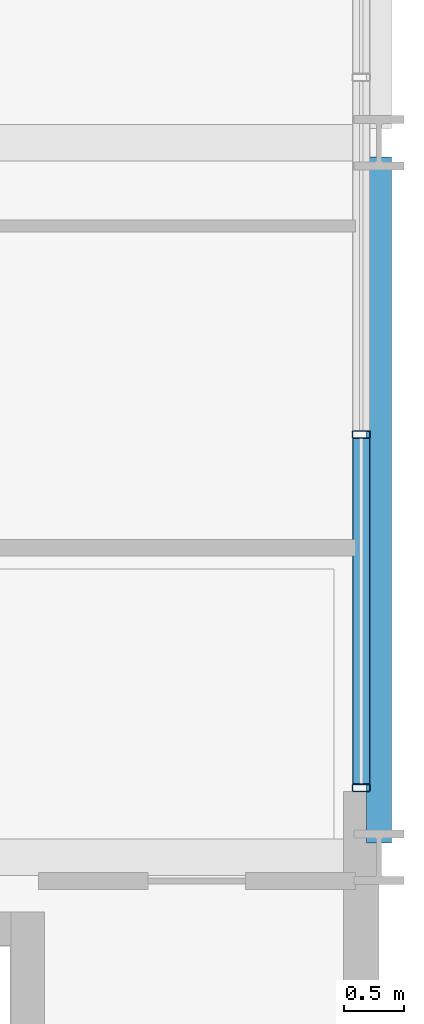
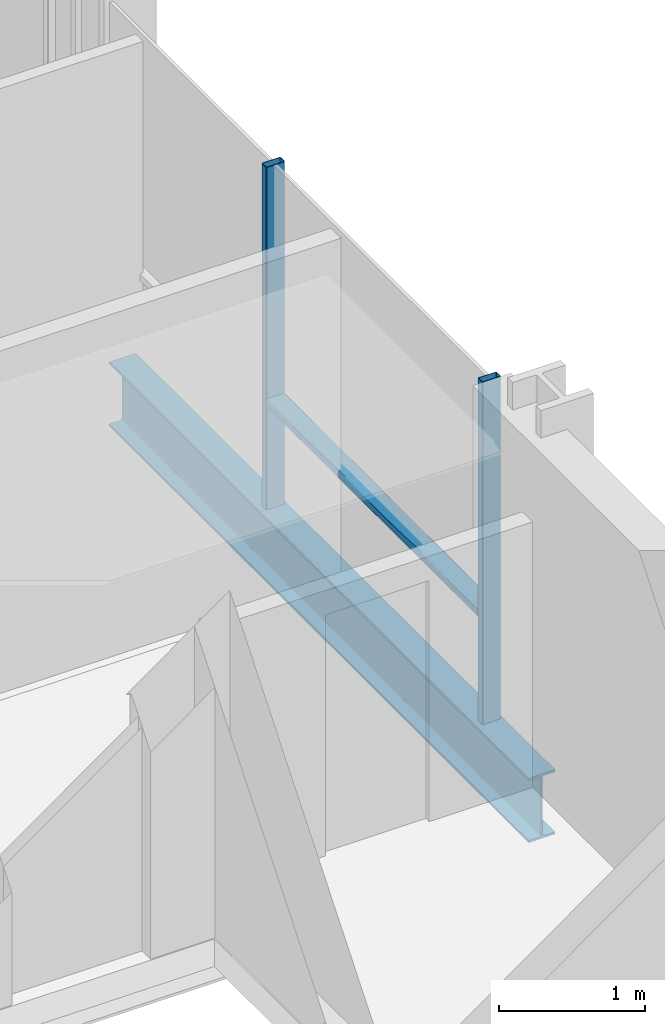
# One storey, part 15 of 41: 3 members, 1 beam, 1 element without a shape of its own.
"""IFC4 building model written with IfcOpenShell, lengths in metres."""

from ifc_helpers import new_model, si_unit, direction, frame, origin, origin_2d, place, context, subcontext, project, spatial, hollow_rectangle, i_section, extrude, material, layer, layer_set, material_profile, profile_set, type_object, element, aggregate, save


model = new_model("IFC4")

# Units and contexts
model_context = context("Model", 3, precision=1e-05, world=origin(), true_north=direction((0.0, 1.0)))
body_context = subcontext(model_context, "Body", "Model", "MODEL_VIEW")
ifc_project = project(units=[si_unit("LENGTHUNIT", "METRE"), si_unit("AREAUNIT", "SQUARE_METRE"), si_unit("VOLUMEUNIT", "CUBIC_METRE"), si_unit("PLANEANGLEUNIT", "RADIAN"), si_unit("MASSUNIT", "GRAM", prefix="KILO")], contexts=[model_context])

# Site, building, storey
site_placement = place(None, origin())
site = spatial("IfcSite", under=ifc_project, at=site_placement, CompositionType="ELEMENT")
building_placement = place(site_placement, origin())
building = spatial("IfcBuilding", under=site, at=building_placement, Name="Brevholm Reach", CompositionType="ELEMENT")
storey_placement = place(building_placement, frame((0.0, 0.0, 86.89990234375)))
storey = spatial("IfcBuildingStorey", under=building, at=storey_placement, Name="L25", CompositionType="ELEMENT", Elevation=86.89990234375)

# Beam
ifc_material_1 = material(Name="Structural Steel S355J2", Category="steel")
ifc_material_profile_1 = material_profile(ifc_material_1, i_section(OverallWidth=0.210693359375, OverallDepth=0.53955078125, WebThickness=0.01171875, FlangeThickness=0.018798828125, FilletRadius=0.0126953125, at=origin_2d()), Name="UKB 533x210x109")
ifc_profile_set_1 = profile_set([ifc_material_profile_1], Name="Structural Steel S355J2")
beam_type = type_object("IfcBeamType", Name="BM-SP539", PredefinedType="SPANDREL", material=ifc_profile_set_1)
beam_placement = place(storey_placement, frame((60.0, 10.1201171875, -0.499755859375), z_axis=(0.0, 1.0, 0.0), x_axis=(-1.0, 0.0, 0.0)))
element("IfcBeam", 1, at=beam_placement, inside=storey, type_object=beam_type, Name="L25 SP-01B Framing Beam", PredefinedType="SPANDREL", context=body_context, shape_type="SweptSolid", body=[
    extrude(i_section(OverallWidth=0.210693359375, OverallDepth=0.53955078125, WebThickness=0.01171875, FlangeThickness=0.018798828125, FilletRadius=0.0126953125, at=origin_2d()), origin(), (0.0, 0.0, 1.0), 5.759765625),
])

# Curtain wall, members
ifc_material_2 = material(Name="Dark Anodised Aluminium 6063-T6 and Solar-Control Glass", Category="aluminium")
ifc_layer = layer(ifc_material_2, 0.14990234375)
ifc_layer_set = layer_set([ifc_layer], Name="Dark Anodised Aluminium 6063-T6 and Solar-Control Glass")
curtain_wall_type = type_object("IfcCurtainWallType", Name="CW-01", PredefinedType="NOTDEFINED", material=ifc_layer_set)
curtain_wall_placement = place(storey_placement, origin())
curtain_wall = element("IfcCurtainWall", 2, at=curtain_wall_placement, inside=storey, type_object=curtain_wall_type, Name="L25 Curtain Wall CW-01", PredefinedType="NOTDEFINED")
ifc_material_3 = material(Name="Dark Anodised Aluminium 6063-T6", Category="aluminium")
ifc_material_profile_2 = material_profile(ifc_material_3, hollow_rectangle(XDim=0.06494140625, YDim=0.14990234375, WallThickness=0.0048828125, InnerFilletRadius=0.0048828125, OuterFilletRadius=0.010009765625, at=origin_2d()), Name="RHS 150x65x5")
ifc_profile_set_2 = profile_set([ifc_material_profile_2], Name="Dark Anodised Aluminium 6063-T6")
member_type_1 = type_object("IfcMemberType", Name="CWM-150", PredefinedType="MULLION", material=ifc_profile_set_2)
member_1_placement = place(storey_placement, frame((59.85009765625, 10.58251953125, 0.0), z_axis=(0.0, 0.0, 1.0), x_axis=(0.0, 1.0, 0.0)))
member_1 = element("IfcMember", 3, at=member_1_placement, type_object=member_type_1, Name="CM-150 Mullion 1", PredefinedType="MULLION", context=body_context, shape_type="SweptSolid", body=[
    extrude(hollow_rectangle(XDim=0.06494140625, YDim=0.14990234375, WallThickness=0.0048828125, InnerFilletRadius=0.0048828125, OuterFilletRadius=0.010009765625, at=origin_2d()), origin(), (0.0, 0.0, 1.0), 2.8701171875),
])
member_2_placement = place(storey_placement, frame((59.85009765625, 13.550048828125, 0.0), z_axis=(0.0, 0.0, 1.0), x_axis=(0.0, 1.0, 0.0)))
member_2 = element("IfcMember", 4, at=member_2_placement, type_object=member_type_1, Name="CM-150 Mullion 2", PredefinedType="MULLION", context=body_context, shape_type="SweptSolid", body=[
    extrude(hollow_rectangle(XDim=0.06494140625, YDim=0.14990234375, WallThickness=0.0048828125, InnerFilletRadius=0.0048828125, OuterFilletRadius=0.010009765625, at=origin_2d()), origin(), (0.0, 0.0, 1.0), 2.8701171875),
])
ifc_material_4 = material(Name="Dark Anodised Aluminium 6063-T6", Category="aluminium")
ifc_material_profile_3 = material_profile(ifc_material_4, hollow_rectangle(XDim=0.06494140625, YDim=0.14990234375, WallThickness=0.0048828125, InnerFilletRadius=0.0048828125, OuterFilletRadius=0.010009765625, at=origin_2d()), Name="RHS 150x65x5")
ifc_profile_set_3 = profile_set([ifc_material_profile_3], Name="Dark Anodised Aluminium 6063-T6")
member_type_2 = type_object("IfcMemberType", Name="CWT-150", PredefinedType="NOTDEFINED", material=ifc_profile_set_3)
member_3_placement = place(storey_placement, frame((59.85009765625, 10.614990234375, 0.900146484375), z_axis=(0.0, 1.0, 0.0), x_axis=(0.0, 0.0, 1.0)))
member_3 = element("IfcMember", 5, at=member_3_placement, type_object=member_type_2, Name="CT-150 Transom 1.1", ObjectType="TRANSOM", PredefinedType="USERDEFINED", context=body_context, shape_type="SweptSolid", body=[
    extrude(hollow_rectangle(XDim=0.06494140625, YDim=0.14990234375, WallThickness=0.0048828125, InnerFilletRadius=0.0048828125, OuterFilletRadius=0.010009765625, at=origin_2d()), origin(), (0.0, 0.0, 1.0), 2.902587890625),
])
aggregate(curtain_wall, [member_1, member_2, member_3])

save(model, "model.ifc")
